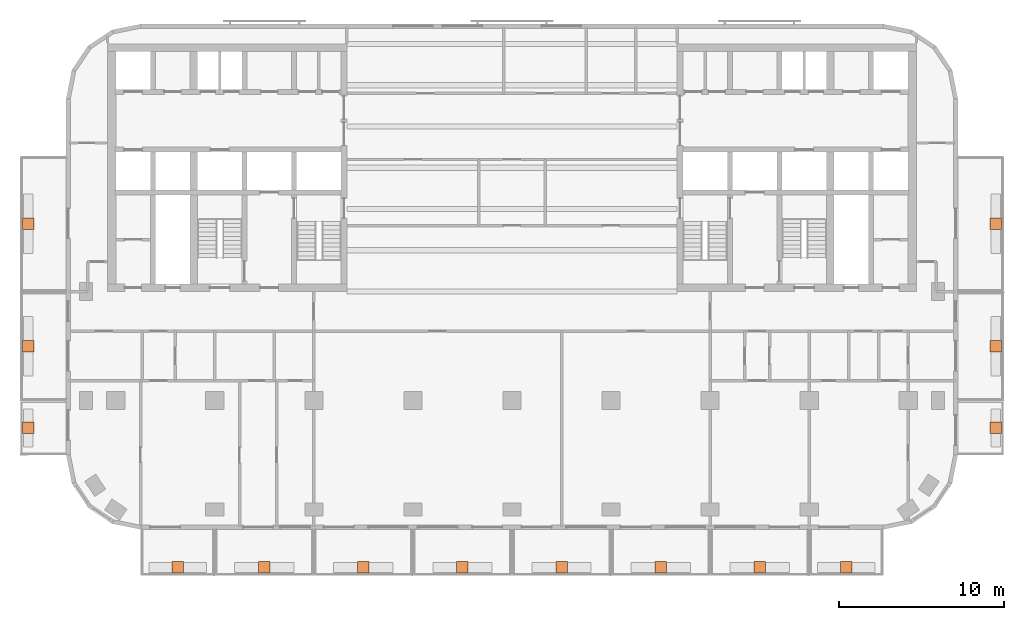
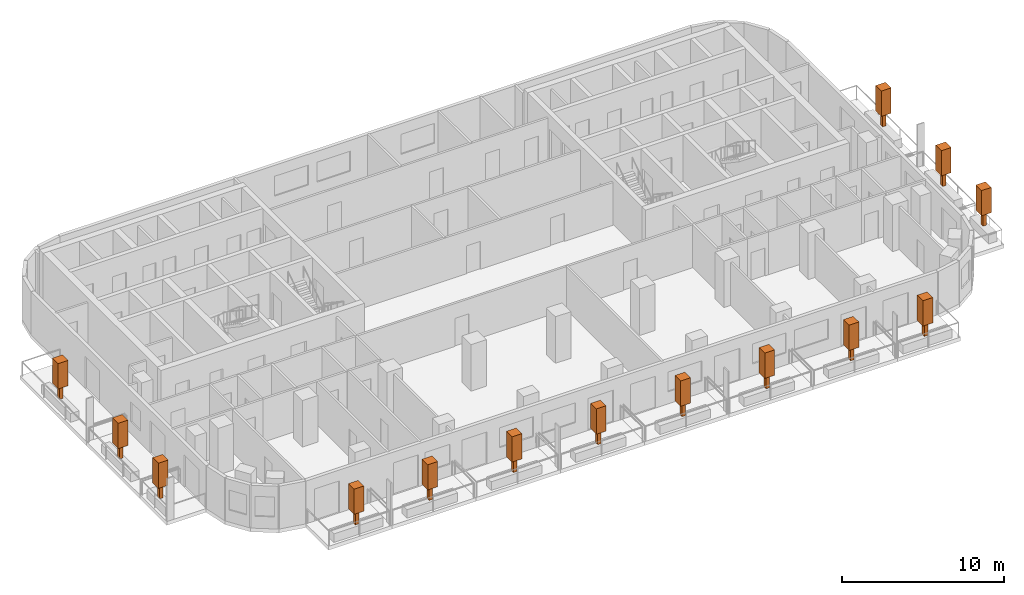
# One storey, part 11 of 11: 14 geographic elements.
"""IFC4 building model written with IfcOpenShell, lengths in metres."""

from ifc_helpers import new_model, si_unit, direction, frame, origin, origin_2d, place, context, subcontext, project, spatial, rectangle, extrude, material, element, save


model = new_model("IFC4")

# Units and contexts
model_context = context("Model", 3, precision=1e-05, world=origin(), true_north=direction((0.0, 1.0)))
body_context = subcontext(model_context, "Body", "Model", "MODEL_VIEW")
ifc_project = project(units=[si_unit("LENGTHUNIT", "METRE"), si_unit("AREAUNIT", "SQUARE_METRE"), si_unit("VOLUMEUNIT", "CUBIC_METRE"), si_unit("PLANEANGLEUNIT", "RADIAN"), si_unit("MASSUNIT", "GRAM", prefix="KILO")], contexts=[model_context])

# Site, building, storey
site_placement = place(None, origin())
site = spatial("IfcSite", under=ifc_project, at=site_placement, CompositionType="ELEMENT")
building_placement = place(site_placement, origin())
building = spatial("IfcBuilding", under=site, at=building_placement, Name="Torana Hotel and Residences", CompositionType="ELEMENT")
storey_placement = place(building_placement, frame((0.0, 0.0, 204.60009765625)))
storey = spatial("IfcBuildingStorey", under=building, at=storey_placement, Name="L53", CompositionType="ELEMENT", Elevation=204.60009765625)

# Geographic elements
ifc_material = material(Name="Foliage", Category="planting")
for number, where, z_axis, x_axis, name in (
    (1, (-20.25, -31.699951171875, 0.64990234375), (0.0, 0.0, 1.0), (1.0, 0.0, 0.0), "Tree 01"),
    (2, (-15.0, -31.699951171875, 0.64990234375), (0.0, 0.0, 1.0), (1.0, 0.0, 0.0), "Tree 02"),
    (3, (-9.0, -31.699951171875, 0.64990234375), (0.0, 0.0, 1.0), (1.0, 0.0, 0.0), "Tree 03"),
    (4, (-3.0, -31.699951171875, 0.64990234375), (0.0, 0.0, 1.0), (1.0, 0.0, 0.0), "Tree 04"),
    (5, (3.0, -31.699951171875, 0.64990234375), (0.0, 0.0, 1.0), (1.0, 0.0, 0.0), "Tree 05"),
    (6, (9.0, -31.699951171875, 0.64990234375), (0.0, 0.0, 1.0), (1.0, 0.0, 0.0), "Tree 06"),
    (7, (15.0, -31.699951171875, 0.64990234375), (0.0, 0.0, 1.0), (1.0, 0.0, 0.0), "Tree 07"),
    (8, (20.25, -31.699951171875, 0.64990234375), (0.0, 0.0, 1.0), (1.0, 0.0, 0.0), "Tree 08"),
    (9, (-29.300048828125, -23.25, 0.64990234375), (0.0, 0.0, 1.0), (1.0, 0.0, 0.0), "Tree 09"),
    (10, (-29.300048828125, -18.300048828125, 0.64990234375), (0.0, 0.0, 1.0), (1.0, 0.0, 0.0), "Tree 10"),
    (11, (-29.300048828125, -10.89990234375, 0.64990234375), (0.0, 0.0, 1.0), (1.0, 0.0, 0.0), "Tree 11"),
    (12, (29.300048828125, -23.25, 0.64990234375), (0.0, 0.0, 1.0), (1.0, 0.0, 0.0), "Tree 12"),
    (13, (29.300048828125, -18.300048828125, 0.64990234375), (0.0, 0.0, 1.0), (1.0, 0.0, 0.0), "Tree 13"),
    (14, (29.300048828125, -10.89990234375, 0.64990234375), (0.0, 0.0, 1.0), (1.0, 0.0, 0.0), "Tree 14"),
):
    element("IfcGeographicElement", number, at=place(storey_placement, frame(where, z_axis=z_axis, x_axis=x_axis)), inside=storey, material=ifc_material, Name=name, ObjectType="TREE", PredefinedType="USERDEFINED", context=body_context, shape_type="SweptSolid", body=[
        extrude(rectangle(XDim=0.25, YDim=0.25, at=origin_2d()), origin(), (0.0, 0.0, 1.0), 1.0),
        extrude(rectangle(XDim=0.699951171875, YDim=0.699951171875, at=origin_2d()), frame((0.0, 0.0, 1.0)), (0.0, 0.0, 1.0), 1.89990234375),
    ])

save(model, "model.ifc")
